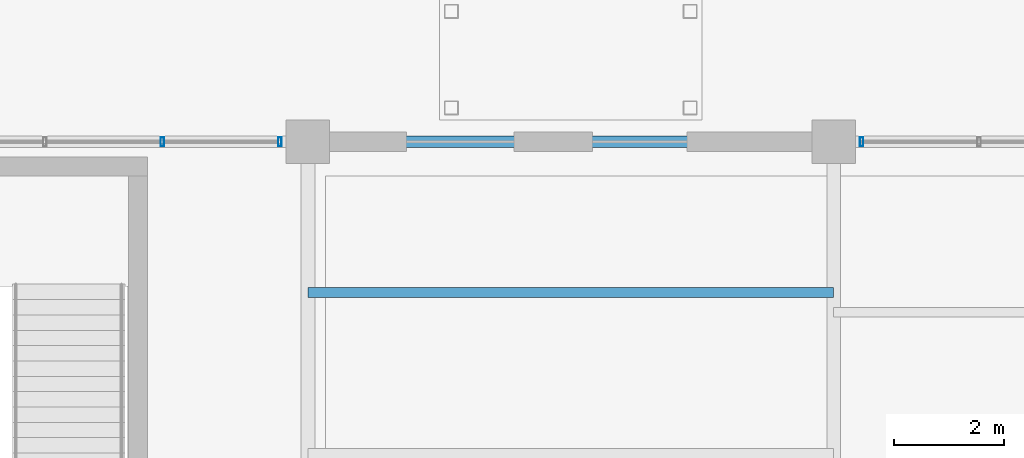
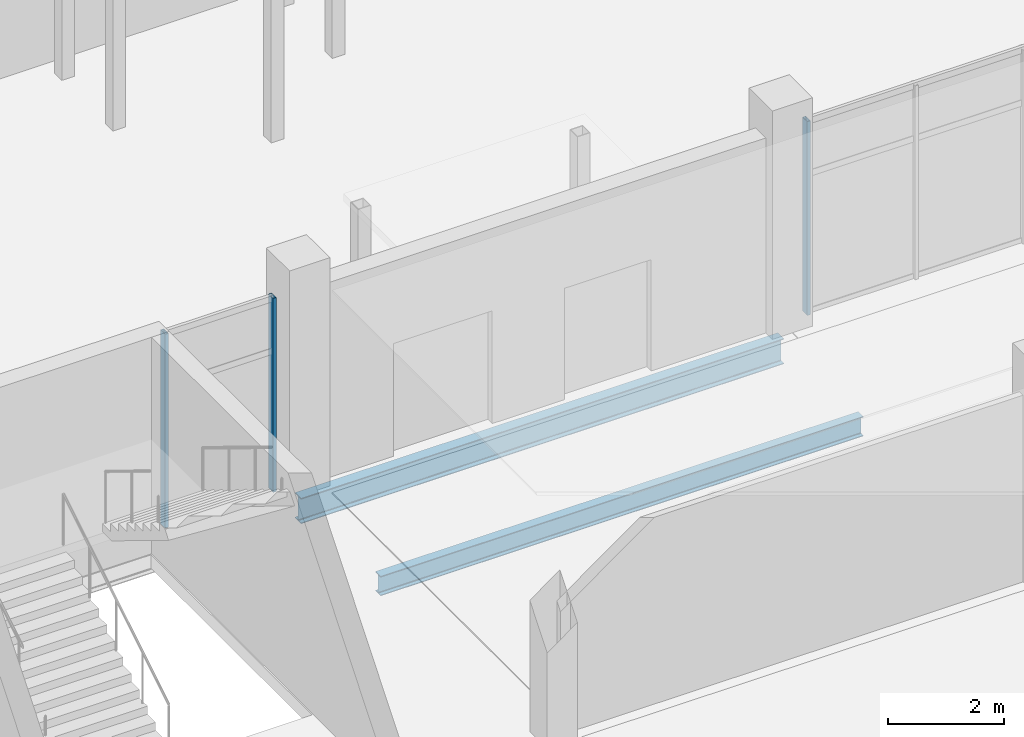
# One storey, part 50 of 116: 3 members, 2 beams, 2 elements without a shape of their own.
"""IFC4 building model written with IfcOpenShell, lengths in metres."""

from ifc_helpers import new_model, si_unit, direction, frame, origin, origin_2d, place, context, subcontext, project, spatial, hollow_rectangle, i_section, extrude, material, layer, layer_set, material_profile, profile_set, type_object, element, aggregate, save


model = new_model("IFC4")

# Units and contexts
model_context = context("Model", 3, precision=1e-05, world=origin(), true_north=direction((0.0, 1.0)))
body_context = subcontext(model_context, "Body", "Model", "MODEL_VIEW")
ifc_project = project(units=[si_unit("LENGTHUNIT", "METRE"), si_unit("AREAUNIT", "SQUARE_METRE"), si_unit("VOLUMEUNIT", "CUBIC_METRE"), si_unit("PLANEANGLEUNIT", "RADIAN"), si_unit("MASSUNIT", "GRAM", prefix="KILO")], contexts=[model_context])

# Site, building, storey
site_placement = place(None, origin())
site = spatial("IfcSite", under=ifc_project, at=site_placement, CompositionType="ELEMENT")
building_placement = place(site_placement, origin())
building = spatial("IfcBuilding", under=site, at=building_placement, Name="Chalmorin Arch Market", CompositionType="ELEMENT")
storey_placement = place(building_placement, origin())
storey = spatial("IfcBuildingStorey", under=building, at=storey_placement, Name="L00", CompositionType="ELEMENT", Elevation=0.0)

# Curtain wall, members
ifc_material_1 = material(Name="Aluminium 6063-T6", Category="aluminium")
ifc_layer = layer(ifc_material_1, 0.159912109375)
ifc_layer_set = layer_set([ifc_layer], Name="Aluminium 6063-T6")
curtain_wall_type = type_object("IfcCurtainWallType", Name="RiverfrontStorefrontCurtainWall-CW2-8580x4080", PredefinedType="NOTDEFINED", material=ifc_layer_set)
curtain_wall_1_placement = place(storey_placement, origin())
curtain_wall_1 = element("IfcCurtainWall", 1, at=curtain_wall_1_placement, inside=storey, type_object=curtain_wall_type, Name="CW-02-008", PredefinedType="NOTDEFINED")
ifc_material_profile_1 = material_profile(ifc_material_1, hollow_rectangle(XDim=0.06494140625, YDim=0.159912109375, WallThickness=0.00390625, at=origin_2d()), Name="ALU65X160X4")
ifc_profile_set_1 = profile_set([ifc_material_profile_1], Name="Aluminium 6063-T6")
member_type = type_object("IfcMemberType", Name="CurtainWallMullion-65x160", PredefinedType="MULLION", material=ifc_profile_set_1)
member_1_placement = place(storey_placement, frame((74.14501953125, 58.800048828125, 0.0), z_axis=(0.0, 0.0, 1.0), x_axis=(1.0, 0.0, 0.0)))
member_1 = element("IfcMember", 2, at=member_1_placement, type_object=member_type, Name="ML-008-04", PredefinedType="MULLION", context=body_context, shape_type="SweptSolid", body=[
    extrude(hollow_rectangle(XDim=0.06494140625, YDim=0.159912109375, WallThickness=0.00390625, at=origin_2d()), origin(), (0.0, 0.0, 1.0), 4.075927734375),
])
member_2_placement = place(storey_placement, frame((76.2900390625, 58.800048828125, 0.0), z_axis=(0.0, 0.0, 1.0), x_axis=(1.0, 0.0, 0.0)))
member_2 = element("IfcMember", 3, at=member_2_placement, type_object=member_type, Name="ML-008-05", PredefinedType="MULLION", context=body_context, shape_type="SweptSolid", body=[
    extrude(hollow_rectangle(XDim=0.06494140625, YDim=0.159912109375, WallThickness=0.00390625, at=origin_2d()), origin(), (0.0, 0.0, 1.0), 4.075927734375),
])
aggregate(curtain_wall_1, [member_1, member_2])

# Curtain wall, member
curtain_wall_2_placement = place(storey_placement, origin())
curtain_wall_2 = element("IfcCurtainWall", 4, at=curtain_wall_2_placement, inside=storey, type_object=curtain_wall_type, Name="CW-02-014", PredefinedType="NOTDEFINED")
member_3_placement = place(storey_placement, frame((86.909912109375, 58.800048828125, 0.0), z_axis=(0.0, 0.0, 1.0), x_axis=(1.0, 0.0, 0.0)))
member_3 = element("IfcMember", 5, at=member_3_placement, type_object=member_type, Name="ML-014-01", PredefinedType="MULLION", context=body_context, shape_type="SweptSolid", body=[
    extrude(hollow_rectangle(XDim=0.06494140625, YDim=0.159912109375, WallThickness=0.00390625, at=origin_2d()), origin(), (0.0, 0.0, 1.0), 4.075927734375),
])
aggregate(curtain_wall_2, [member_3])

# Beams
ifc_material_2 = material(Name="Steel A992 Grade 50", Category="steel")
ifc_material_profile_2 = material_profile(ifc_material_2, i_section(OverallWidth=0.208984375, OverallDepth=0.532958984375, WebThickness=0.01025390625, FlangeThickness=0.015625, FilletRadius=0.02197265625, at=origin_2d()), Name="W21X62")
ifc_profile_set_2 = profile_set([ifc_material_profile_2], Name="Steel A992 Grade 50")
beam_type_1 = type_object("IfcBeamType", Name="PerimeterSpandrelBeam-W21X62", PredefinedType="SPANDREL", material=ifc_profile_set_2)
beam_1_placement = place(storey_placement, frame((76.800048828125, 58.800048828125, -0.568603515625), z_axis=(1.0, 0.0, 0.0), x_axis=(0.0, 1.0, 0.0)))
element("IfcBeam", 6, at=beam_1_placement, inside=storey, type_object=beam_type_1, Name="SP-W21-0057", PredefinedType="SPANDREL", context=body_context, shape_type="SweptSolid", body=[
    extrude(i_section(OverallWidth=0.208984375, OverallDepth=0.532958984375, WebThickness=0.01025390625, FlangeThickness=0.015625, FilletRadius=0.02197265625, at=origin_2d()), origin(), (0.0, 0.0, 1.0), 9.599853515625),
])
ifc_material_profile_3 = material_profile(ifc_material_2, i_section(OverallWidth=0.178955078125, OverallDepth=0.409912109375, WebThickness=0.0087890625, FlangeThickness=0.014404296875, FilletRadius=0.01806640625, at=origin_2d()), Name="W16X45")
ifc_profile_set_3 = profile_set([ifc_material_profile_3], Name="Steel A992 Grade 50")
beam_type_2 = type_object("IfcBeamType", Name="SecondaryFloorJoist-W16X45", PredefinedType="JOIST", material=ifc_profile_set_3)
beam_2_placement = place(storey_placement, frame((76.800048828125, 56.046630859375, -0.487060546875), z_axis=(1.0, 0.0, 0.0), x_axis=(0.0, 1.0, 0.0)))
element("IfcBeam", 7, at=beam_2_placement, inside=storey, type_object=beam_type_2, Name="BJ-W16A-0154", PredefinedType="JOIST", context=body_context, shape_type="SweptSolid", body=[
    extrude(i_section(OverallWidth=0.178955078125, OverallDepth=0.409912109375, WebThickness=0.0087890625, FlangeThickness=0.014404296875, FilletRadius=0.01806640625, at=origin_2d()), origin(), (0.0, 0.0, 1.0), 9.599853515625),
])

save(model, "model.ifc")
